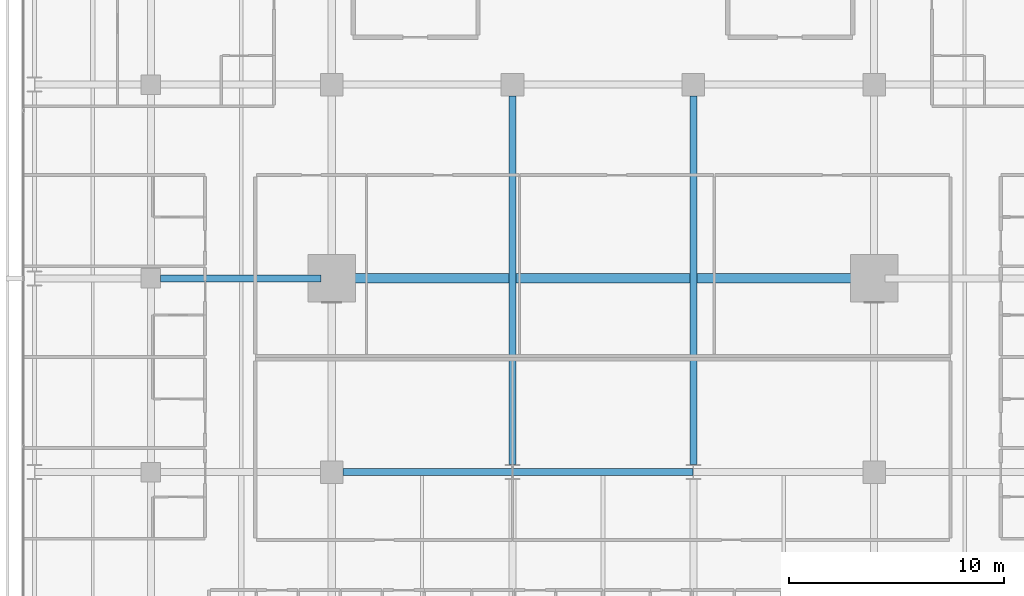
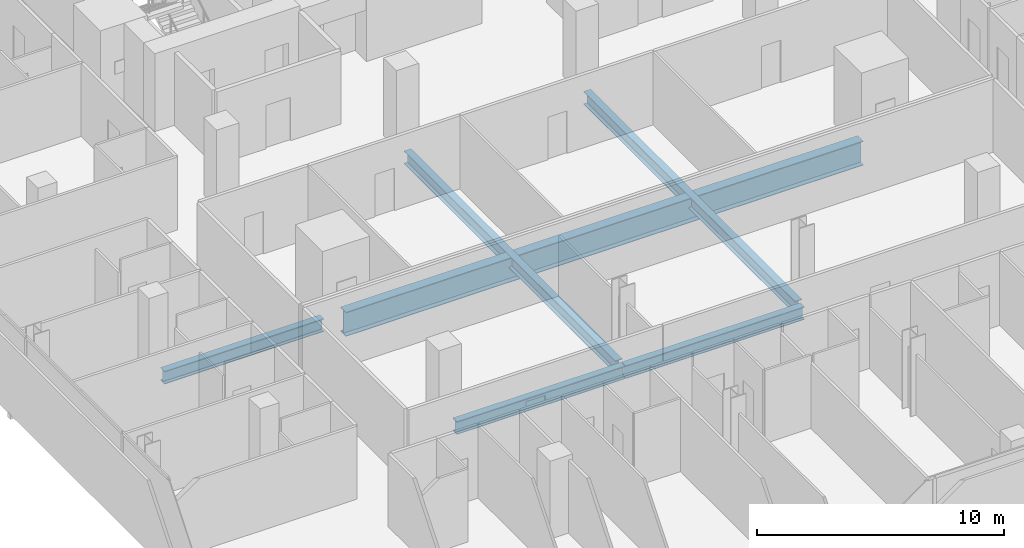
# One storey, part 13 of 40: 6 beams.
"""IFC4 building model written with IfcOpenShell, lengths in metres."""

from ifc_helpers import new_model, si_unit, direction, frame, origin, origin_2d, place, context, subcontext, project, spatial, i_section, extrude, material, material_profile, profile_set, type_object, element, save


model = new_model("IFC4")

# Units and contexts
model_context = context("Model", 3, precision=1e-05, world=origin(), true_north=direction((0.0, 1.0)))
body_context = subcontext(model_context, "Body", "Model", "MODEL_VIEW")
ifc_project = project(units=[si_unit("LENGTHUNIT", "METRE"), si_unit("AREAUNIT", "SQUARE_METRE"), si_unit("VOLUMEUNIT", "CUBIC_METRE"), si_unit("PLANEANGLEUNIT", "RADIAN"), si_unit("MASSUNIT", "GRAM", prefix="KILO")], contexts=[model_context])

# Site, building, storey
site_placement = place(None, origin())
site = spatial("IfcSite", under=ifc_project, at=site_placement, CompositionType="ELEMENT")
building_placement = place(site_placement, origin())
building = spatial("IfcBuilding", under=site, at=building_placement, Name="Maruvema Waterfront Hotel and Observation Tower", CompositionType="ELEMENT")
storey_placement = place(building_placement, frame((0.0, 0.0, 34.64990234375)))
storey = spatial("IfcBuildingStorey", under=building, at=storey_placement, Name="L07", CompositionType="ELEMENT", Elevation=34.64990234375)

# Beams
ifc_material_1 = material(Name="Steel ASTM A572 Grade 50", Category="steel")
ifc_material_profile_1 = material_profile(ifc_material_1, i_section(OverallWidth=0.3291015625, OverallDepth=0.635009765625, WebThickness=0.017822265625, FlangeThickness=0.031005859375, FilletRadius=0.01806640625, at=origin_2d()), Name="W610x241.0")
ifc_profile_set_1 = profile_set([ifc_material_profile_1], Name="Steel ASTM A572 Grade 50")
beam_type_1 = type_object("IfcBeamType", Name="Primary Floor Girder W610x241.0", PredefinedType="BEAM", material=ifc_profile_set_1)
beam_1_placement = place(storey_placement, frame((25.72509765625, 18.0, -0.557373046875), z_axis=(1.0, 0.0, 0.0), x_axis=(0.0, 1.0, 0.0)))
element("IfcBeam", 1, at=beam_1_placement, inside=storey, type_object=beam_type_1, Name="L07 Floor Girder EW-15", PredefinedType="BEAM", context=body_context, shape_type="SweptSolid", body=[
    extrude(i_section(OverallWidth=0.3291015625, OverallDepth=0.635009765625, WebThickness=0.017822265625, FlangeThickness=0.031005859375, FilletRadius=0.01806640625, at=origin_2d()), origin(), (0.0, 0.0, 1.0), 7.86083984375),
])
beam_2_placement = place(storey_placement, frame((33.614013671875, 18.0, -0.557373046875), z_axis=(1.0, 0.0, 0.0), x_axis=(0.0, 1.0, 0.0)))
element("IfcBeam", 2, at=beam_2_placement, inside=storey, type_object=beam_type_1, Name="L07 Floor Girder EW-16", PredefinedType="BEAM", context=body_context, shape_type="SweptSolid", body=[
    extrude(i_section(OverallWidth=0.3291015625, OverallDepth=0.635009765625, WebThickness=0.017822265625, FlangeThickness=0.031005859375, FilletRadius=0.01806640625, at=origin_2d()), origin(), (0.0, 0.0, 1.0), 8.3720703125),
])
beam_3_placement = place(storey_placement, frame((17.25, 27.0, -0.557373046875), z_axis=(1.0, 0.0, 0.0), x_axis=(0.0, 1.0, 0.0)))
element("IfcBeam", 3, at=beam_3_placement, inside=storey, type_object=beam_type_1, Name="L07 Floor Girder EW-21", PredefinedType="BEAM", context=body_context, shape_type="SweptSolid", body=[
    extrude(i_section(OverallWidth=0.3291015625, OverallDepth=0.635009765625, WebThickness=0.017822265625, FlangeThickness=0.031005859375, FilletRadius=0.01806640625, at=origin_2d()), origin(), (0.0, 0.0, 1.0), 7.449951171875),
])
for number, where, z_axis, x_axis, name in (
    (4, (33.60009765625, 18.35009765625, -0.557373046875), (0.0, 1.0, 0.0), (-1.0, 0.0, 0.0), "L07 Floor Girder NS-18"),
    (5, (42.0, 18.35009765625, -0.557373046875), (0.0, 1.0, 0.0), (-1.0, 0.0, 0.0), "L07 Floor Girder NS-21"),
):
    element("IfcBeam", number, at=place(storey_placement, frame(where, z_axis=z_axis, x_axis=x_axis)), inside=storey, type_object=beam_type_1, Name=name, PredefinedType="BEAM", context=body_context, shape_type="SweptSolid", body=[
        extrude(i_section(OverallWidth=0.3291015625, OverallDepth=0.635009765625, WebThickness=0.017822265625, FlangeThickness=0.031005859375, FilletRadius=0.01806640625, at=origin_2d()), origin(), (0.0, 0.0, 1.0), 17.125),
    ])
ifc_material_2 = material(Name="Steel ABNT NBR 7007 AR 415 (ASTM A572 Grade 50)", Category="steel")
ifc_material_profile_2 = material_profile(ifc_material_2, i_section(OverallWidth=0.449951171875, OverallDepth=1.199951171875, WebThickness=0.01904296875, FlangeThickness=0.031982421875, at=origin_2d()), Name="VS1200x366")
ifc_profile_set_2 = profile_set([ifc_material_profile_2], Name="Steel ABNT NBR 7007 AR 415 (ASTM A572 Grade 50)")
beam_type_2 = type_object("IfcBeamType", Name="Upper Setback Transfer Girder VS1200x366", PredefinedType="USERDEFINED", material=ifc_profile_set_2)
beam_4_placement = place(storey_placement, frame((25.699951171875, 27.0, -0.83984375), z_axis=(1.0, 0.0, 0.0), x_axis=(0.0, 1.0, 0.0)))
element("IfcBeam", 6, at=beam_4_placement, inside=storey, type_object=beam_type_2, Name="L07 Floor Girder EW-22", ObjectType="TRANSFER GIRDER", PredefinedType="USERDEFINED", context=body_context, shape_type="SweptSolid", body=[
    extrude(i_section(OverallWidth=0.449951171875, OverallDepth=1.199951171875, WebThickness=0.01904296875, FlangeThickness=0.031982421875, at=origin_2d()), origin(), (0.0, 0.0, 1.0), 24.199951171875),
])

save(model, "model.ifc")
